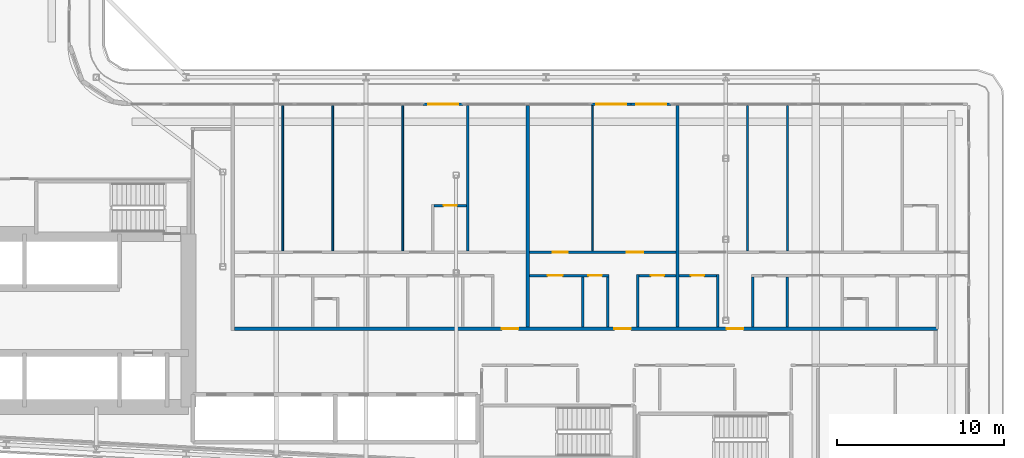
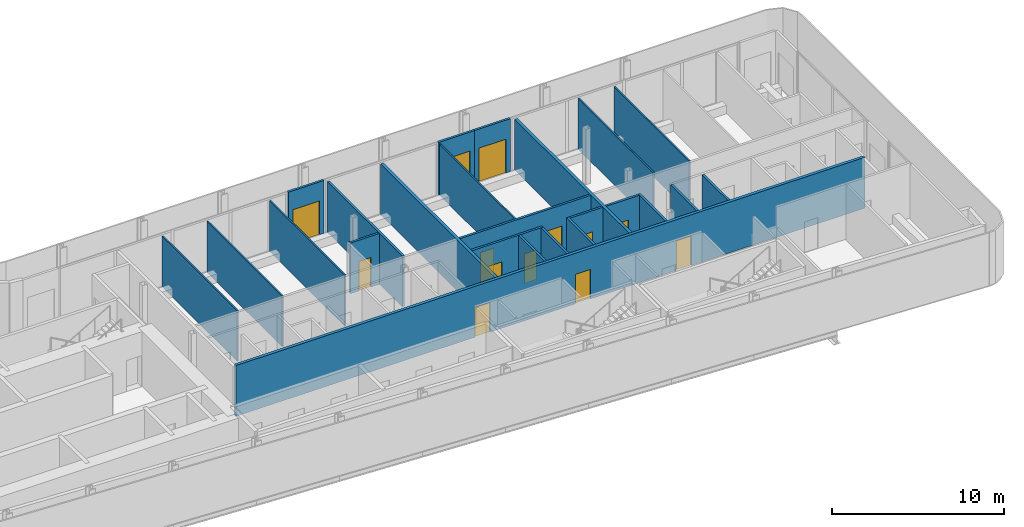
# One storey, part 16 of 28: 24 walls, 13 doors, 13 openings.
"""IFC4 building model written with IfcOpenShell, lengths in metres."""

from ifc_helpers import new_model, si_unit, direction, frame, frame_2d, origin, place, context, subcontext, project, spatial, rectangle, extrude, source, transform, mapped, material, layer, layer_set, type_object, element, fill, save


model = new_model("IFC4")

# Units and contexts
model_context = context("Model", 3, precision=1e-05, world=origin(), true_north=direction((0.0, 1.0)))
body_context = subcontext(model_context, "Body", "Model", "MODEL_VIEW")
ifc_project = project(units=[si_unit("LENGTHUNIT", "METRE"), si_unit("AREAUNIT", "SQUARE_METRE"), si_unit("VOLUMEUNIT", "CUBIC_METRE"), si_unit("PLANEANGLEUNIT", "RADIAN"), si_unit("MASSUNIT", "GRAM", prefix="KILO")], contexts=[model_context])

# Site, building, storey
site_placement = place(None, origin())
site = spatial("IfcSite", under=ifc_project, at=site_placement, CompositionType="ELEMENT")
building_placement = place(site_placement, origin())
building = spatial("IfcBuilding", under=site, at=building_placement, Name="Kheshtan School and Residences Tower", CompositionType="ELEMENT")
storey_placement = place(building_placement, frame((0.0, 0.0, 137.0)))
storey = spatial("IfcBuildingStorey", under=building, at=storey_placement, Name="L32", CompositionType="ELEMENT", Elevation=137.0)

# Wall, openings, doors
ifc_material_1 = material(Name="Gypsum board on steel studs with fire boards", Category="steel")
ifc_layer_1 = layer(ifc_material_1, 0.199951171875)
ifc_layer_set_1 = layer_set([ifc_layer_1], Name="Corridor wall 200")
wall_type_1 = type_object("IfcWallType", Name="Corridor wall 200", PredefinedType="PARTITIONING", material=ifc_layer_set_1)
wall_1_placement = place(storey_placement, frame((55.89990234375, 30.5, 0.0), z_axis=(0.0, 0.0, 1.0), x_axis=(1.0, 0.0, 0.0)))
wall_1 = element("IfcWall", 1, at=wall_1_placement, inside=storey, type_object=wall_type_1, Name="Partition L32-046", PredefinedType="PARTITIONING", context=body_context, shape_type="SweptSolid", body=[
    extrude(rectangle(XDim=42.2001953125, YDim=0.199951171875, at=frame_2d((21.10009765625, 0.0))), origin(), (0.0, 0.0, 1.0), 3.60009765625),
])
opening_1_placement = place(wall_1_placement, frame((16.050048828125, 0.0, 0.0)))
opening_1 = element("IfcOpeningElement", 2, at=opening_1_placement, cuts=wall_1, Name="Opening D32-007", PredefinedType="OPENING", context=body_context, shape_type="SweptSolid", body=[
    extrude(rectangle(XDim=1.0, YDim=2.10009765625, at=frame_2d((0.5, 1.050048828125))), frame((0.0, 0.10986328125, 0.0), z_axis=(0.0, -1.0, 0.0), x_axis=(1.0, 0.0, 0.0)), (0.0, 0.0, 1.0), 0.219970703125),
])
opening_2_placement = place(wall_1_placement, frame((22.800048828125, 0.0, 0.0)))
opening_2 = element("IfcOpeningElement", 3, at=opening_2_placement, cuts=wall_1, Name="Opening D32-017", PredefinedType="OPENING", context=body_context, shape_type="SweptSolid", body=[
    extrude(rectangle(XDim=1.0, YDim=2.10009765625, at=frame_2d((0.5, 1.050048828125))), frame((0.0, 0.10986328125, 0.0), z_axis=(0.0, -1.0, 0.0), x_axis=(1.0, 0.0, 0.0)), (0.0, 0.0, 1.0), 0.219970703125),
])
opening_3_placement = place(wall_1_placement, frame((29.550048828125, 0.0, 0.0)))
opening_3 = element("IfcOpeningElement", 4, at=opening_3_placement, cuts=wall_1, Name="Opening D32-026", PredefinedType="OPENING", context=body_context, shape_type="SweptSolid", body=[
    extrude(rectangle(XDim=1.0, YDim=2.10009765625, at=frame_2d((0.5, 1.050048828125))), frame((0.0, 0.10986328125, 0.0), z_axis=(0.0, -1.0, 0.0), x_axis=(1.0, 0.0, 0.0)), (0.0, 0.0, 1.0), 0.219970703125),
])
ifc_material_2 = material(Name="Steel-framed fire-resisting door leaf", Category="steel")
door_type_1 = type_object("IfcDoorType", Name="Fire door FD30S 1000 x 2100", OperationType="SINGLE_SWING_LEFT", PredefinedType="DOOR", material=ifc_material_2)
shared_shape_1 = source(origin(), body_context, "Body", "SweptSolid", [
    extrude(rectangle(XDim=1.0, YDim=2.10009765625, at=frame_2d((0.5, 1.050048828125))), frame((0.0, 0.02490234375, 0.0), z_axis=(0.0, -1.0, 0.0), x_axis=(1.0, 0.0, 0.0)), (0.0, 0.0, 1.0), 0.050048828125),
])
door_1_placement = place(opening_1_placement, origin())
door_1 = element("IfcDoor", 5, at=door_1_placement, inside=storey, type_object=door_type_1, Name="Door D32-007", OperationType="SINGLE_SWING_RIGHT", OverallHeight=2.10009765625, OverallWidth=1.0, PredefinedType="DOOR", context=body_context, shape_type="MappedRepresentation", body=[
    mapped(shared_shape_1, transform((0.0, 0.0, 0.0), x_axis=(1.0, 0.0, 0.0), y_axis=(0.0, 1.0, 0.0), z_axis=(0.0, 0.0, 1.0), scale=1.0)),
])
fill(opening_1, door_1)
door_2_placement = place(opening_2_placement, origin())
door_2 = element("IfcDoor", 6, at=door_2_placement, inside=storey, type_object=door_type_1, Name="Door D32-017", OperationType="SINGLE_SWING_RIGHT", OverallHeight=2.10009765625, OverallWidth=1.0, PredefinedType="DOOR", context=body_context, shape_type="MappedRepresentation", body=[
    mapped(shared_shape_1, transform((0.0, 0.0, 0.0), x_axis=(1.0, 0.0, 0.0), y_axis=(0.0, 1.0, 0.0), z_axis=(0.0, 0.0, 1.0), scale=1.0)),
])
fill(opening_2, door_2)
door_3_placement = place(opening_3_placement, origin())
door_3 = element("IfcDoor", 7, at=door_3_placement, inside=storey, type_object=door_type_1, Name="Door D32-026", OperationType="SINGLE_SWING_LEFT", OverallHeight=2.10009765625, OverallWidth=1.0, PredefinedType="DOOR", context=body_context, shape_type="MappedRepresentation", body=[
    mapped(shared_shape_1, transform((0.0, 0.0, 0.0), x_axis=(1.0, 0.0, 0.0), y_axis=(0.0, 1.0, 0.0), z_axis=(0.0, 0.0, 1.0), scale=1.0)),
])
fill(opening_3, door_3)

# Wall, opening, door
ifc_material_3 = material(Name="Aluminium frame wall with insulated infill", Category="aluminium")
ifc_layer_2 = layer(ifc_material_3, 0.14990234375)
ifc_layer_set_2 = layer_set([ifc_layer_2], Name="Glazing frame wall 150")
wall_type_2 = type_object("IfcWallType", Name="Glazing frame wall 150", PredefinedType="SOLIDWALL", material=ifc_layer_set_2)
wall_2_placement = place(storey_placement, frame((67.218017578125, 43.97509765625, 0.0), z_axis=(0.0, 0.0, 1.0), x_axis=(1.0, 0.0, 0.0)))
wall_2 = element("IfcWall", 8, at=wall_2_placement, inside=storey, type_object=wall_type_2, Name="Balcony door wall L32 12.2", PredefinedType="SOLIDWALL", context=body_context, shape_type="SweptSolid", body=[
    extrude(rectangle(XDim=2.39990234375, YDim=0.14990234375, at=frame_2d((1.199951171875, 0.0))), origin(), (0.0, 0.0, 1.0), 3.75),
])
opening_4_placement = place(wall_2_placement, frame((0.300048828125, 0.0, 0.0)))
opening_4 = element("IfcOpeningElement", 9, at=opening_4_placement, cuts=wall_2, Name="Opening BD", PredefinedType="OPENING", context=body_context, shape_type="SweptSolid", body=[
    extrude(rectangle(XDim=1.800048828125, YDim=2.39990234375, at=frame_2d((0.89990234375, 1.199951171875))), frame((0.0, 0.0849609375, 0.0), z_axis=(0.0, -1.0, 0.0), x_axis=(1.0, 0.0, 0.0)), (0.0, 0.0, 1.0), 0.169921875),
])
ifc_material_4 = material(Name="Clear low-e glass in thermally broken aluminium frame", Category="aluminium")
door_type_2 = type_object("IfcDoorType", Name="Balcony sliding door", OperationType="SLIDING_TO_LEFT", PredefinedType="DOOR", material=ifc_material_4)
shared_shape_2 = source(origin(), body_context, "Body", "SweptSolid", [
    extrude(rectangle(XDim=1.800048828125, YDim=2.39990234375, at=frame_2d((0.89990234375, 1.199951171875))), frame((0.0, 0.02490234375, 0.0), z_axis=(0.0, -1.0, 0.0), x_axis=(1.0, 0.0, 0.0)), (0.0, 0.0, 1.0), 0.050048828125),
])
door_4_placement = place(opening_4_placement, origin())
door_4 = element("IfcDoor", 10, at=door_4_placement, inside=storey, type_object=door_type_2, Name="Balcony door L32 12.2", OperationType="SLIDING_TO_LEFT", OverallHeight=2.39990234375, OverallWidth=1.800048828125, PredefinedType="DOOR", context=body_context, shape_type="MappedRepresentation", body=[
    mapped(shared_shape_2, transform((0.0, 0.0, 0.0), x_axis=(1.0, 0.0, 0.0), y_axis=(0.0, 1.0, 0.0), z_axis=(0.0, 0.0, 1.0), scale=1.0)),
])
fill(opening_4, door_4)

wall_3_placement = place(storey_placement, frame((77.31201171875, 43.97509765625, 0.0), z_axis=(0.0, 0.0, 1.0), x_axis=(1.0, 0.0, 0.0)))
wall_3 = element("IfcWall", 11, at=wall_3_placement, inside=storey, type_object=wall_type_2, Name="Balcony door wall L32 12.3", PredefinedType="SOLIDWALL", context=body_context, shape_type="SweptSolid", body=[
    extrude(rectangle(XDim=2.39990234375, YDim=0.14990234375, at=frame_2d((1.199951171875, 0.0))), origin(), (0.0, 0.0, 1.0), 3.75),
])
opening_5_placement = place(wall_3_placement, frame((0.300048828125, 0.0, 0.0)))
opening_5 = element("IfcOpeningElement", 12, at=opening_5_placement, cuts=wall_3, Name="Opening BD", PredefinedType="OPENING", context=body_context, shape_type="SweptSolid", body=[
    extrude(rectangle(XDim=1.800048828125, YDim=2.39990234375, at=frame_2d((0.89990234375, 1.199951171875))), frame((0.0, 0.0849609375, 0.0), z_axis=(0.0, -1.0, 0.0), x_axis=(1.0, 0.0, 0.0)), (0.0, 0.0, 1.0), 0.169921875),
])
door_5_placement = place(opening_5_placement, origin())
door_5 = element("IfcDoor", 13, at=door_5_placement, inside=storey, type_object=door_type_2, Name="Balcony door L32 12.3", OperationType="SLIDING_TO_LEFT", OverallHeight=2.39990234375, OverallWidth=1.800048828125, PredefinedType="DOOR", context=body_context, shape_type="MappedRepresentation", body=[
    mapped(shared_shape_2, transform((0.0, 0.0, 0.0), x_axis=(1.0, 0.0, 0.0), y_axis=(0.0, 1.0, 0.0), z_axis=(0.0, 0.0, 1.0), scale=1.0)),
])
fill(opening_5, door_5)

wall_4_placement = place(storey_placement, frame((79.7119140625, 43.97509765625, 0.0), z_axis=(0.0, 0.0, 1.0), x_axis=(1.0, 0.0, 0.0)))
wall_4 = element("IfcWall", 14, at=wall_4_placement, inside=storey, type_object=wall_type_2, Name="Balcony door wall L32 12.4", PredefinedType="SOLIDWALL", context=body_context, shape_type="SweptSolid", body=[
    extrude(rectangle(XDim=2.400146484375, YDim=0.14990234375, at=frame_2d((1.2001953125, 0.0))), origin(), (0.0, 0.0, 1.0), 3.75),
])
opening_6_placement = place(wall_4_placement, frame((0.300048828125, 0.0, 0.0)))
opening_6 = element("IfcOpeningElement", 15, at=opening_6_placement, cuts=wall_4, Name="Opening BD", PredefinedType="OPENING", context=body_context, shape_type="SweptSolid", body=[
    extrude(rectangle(XDim=1.800048828125, YDim=2.39990234375, at=frame_2d((0.89990234375, 1.199951171875))), frame((0.0, 0.0849609375, 0.0), z_axis=(0.0, -1.0, 0.0), x_axis=(1.0, 0.0, 0.0)), (0.0, 0.0, 1.0), 0.169921875),
])
door_6_placement = place(opening_6_placement, origin())
door_6 = element("IfcDoor", 16, at=door_6_placement, inside=storey, type_object=door_type_2, Name="Balcony door L32 12.4", OperationType="SLIDING_TO_LEFT", OverallHeight=2.39990234375, OverallWidth=1.800048828125, PredefinedType="DOOR", context=body_context, shape_type="MappedRepresentation", body=[
    mapped(shared_shape_2, transform((0.0, 0.0, 0.0), x_axis=(1.0, 0.0, 0.0), y_axis=(0.0, 1.0, 0.0), z_axis=(0.0, 0.0, 1.0), scale=1.0)),
])
fill(opening_6, door_6)

# Walls
ifc_material_5 = material(Name="Gypsum board on steel studs", Category="steel")
ifc_layer_3 = layer(ifc_material_5, 0.10009765625)
ifc_layer_set_3 = layer_set([ifc_layer_3], Name="Gypsum partition 100")
wall_type_3 = type_object("IfcWallType", Name="Gypsum partition 100", PredefinedType="PARTITIONING", material=ifc_layer_set_3)
for number, where, z_axis, x_axis, name in (
    (17, (58.800048828125, 35.175048828125, 0.0), (0.0, 0.0, 1.0), (0.0, 1.0, 0.0), "Partition L32-050"),
    (18, (61.800048828125, 35.175048828125, 0.0), (0.0, 0.0, 1.0), (0.0, 1.0, 0.0), "Partition L32-053"),
    (19, (66.0, 35.175048828125, 0.0), (0.0, 0.0, 1.0), (0.0, 1.0, 0.0), "Partition L32-056"),
    (20, (77.39990234375, 35.175048828125, 0.0), (0.0, 0.0, 1.0), (0.0, 1.0, 0.0), "Partition L32-067"),
    (21, (86.699951171875, 35.175048828125, 0.0), (0.0, 0.0, 1.0), (0.0, 1.0, 0.0), "Partition L32-075"),
    (22, (89.10009765625, 35.175048828125, 0.0), (0.0, 0.0, 1.0), (0.0, 1.0, 0.0), "Partition L32-079"),
):
    element("IfcWall", number, at=place(storey_placement, frame(where, z_axis=z_axis, x_axis=x_axis)), inside=storey, type_object=wall_type_3, Name=name, PredefinedType="PARTITIONING", context=body_context, shape_type="SweptSolid", body=[
        extrude(rectangle(XDim=8.724853515625, YDim=0.10009765625, at=frame_2d((4.3623046875, 0.0))), origin(), (0.0, 0.0, 1.0), 3.60009765625),
    ])
ifc_material_6 = material(Name="Twin gypsum board on steel studs with mineral wool", Category="steel")
ifc_layer_4 = layer(ifc_material_6, 0.199951171875)
ifc_layer_set_4 = layer_set([ifc_layer_4], Name="Unit demising wall 200")
wall_type_4 = type_object("IfcWallType", Name="Unit demising wall 200", PredefinedType="PARTITIONING", material=ifc_layer_set_4)
for number, where, z_axis, x_axis, name in (
    (23, (73.5, 30.60009765625, 0.0), (0.0, 0.0, 1.0), (0.0, 1.0, 0.0), "Partition L32-063"),
    (24, (82.5, 30.60009765625, 0.0), (0.0, 0.0, 1.0), (0.0, 1.0, 0.0), "Partition L32-071"),
):
    element("IfcWall", number, at=place(storey_placement, frame(where, z_axis=z_axis, x_axis=x_axis)), inside=storey, type_object=wall_type_4, Name=name, PredefinedType="PARTITIONING", context=body_context, shape_type="SweptSolid", body=[
        extrude(rectangle(XDim=13.2998046875, YDim=0.199951171875, at=frame_2d((6.64990234375, 0.0))), origin(), (0.0, 0.0, 1.0), 3.60009765625),
    ])

# Wall, opening, door
ifc_material_7 = material(Name="Moisture-resistant gypsum board on steel studs", Category="steel")
ifc_layer_5 = layer(ifc_material_7, 0.14990234375)
ifc_layer_set_5 = layer_set([ifc_layer_5], Name="Wet-room partition 150")
wall_type_5 = type_object("IfcWallType", Name="Wet-room partition 150", PredefinedType="PARTITIONING", material=ifc_layer_set_5)
wall_5_placement = place(storey_placement, frame((67.875, 37.89990234375, 0.0), z_axis=(0.0, 0.0, 1.0), x_axis=(1.0, 0.0, 0.0)))
wall_5 = element("IfcWall", 25, at=wall_5_placement, inside=storey, type_object=wall_type_5, Name="Partition L32-059", PredefinedType="PARTITIONING", context=body_context, shape_type="SweptSolid", body=[
    extrude(rectangle(XDim=1.949951171875, YDim=0.14990234375, at=frame_2d((0.97509765625, 0.0))), origin(), (0.0, 0.0, 1.0), 3.60009765625),
])
opening_7_placement = place(wall_5_placement, frame((0.574951171875, 0.0, 0.0)))
opening_7 = element("IfcOpeningElement", 26, at=opening_7_placement, cuts=wall_5, Name="Opening D32-006", PredefinedType="OPENING", context=body_context, shape_type="SweptSolid", body=[
    extrude(rectangle(XDim=0.800048828125, YDim=2.10009765625, at=frame_2d((0.39990234375, 1.050048828125))), frame((0.0, 0.0849609375, 0.0), z_axis=(0.0, -1.0, 0.0), x_axis=(1.0, 0.0, 0.0)), (0.0, 0.0, 1.0), 0.169921875),
])
ifc_material_8 = material(Name="Veneered timber door leaf", Category="wood")
door_type_3 = type_object("IfcDoorType", Name="Door 800 x 2100", OperationType="SINGLE_SWING_LEFT", PredefinedType="DOOR", material=ifc_material_8)
shared_shape_3 = source(origin(), body_context, "Body", "SweptSolid", [
    extrude(rectangle(XDim=0.800048828125, YDim=2.10009765625, at=frame_2d((0.39990234375, 1.050048828125))), frame((0.0, 0.02490234375, 0.0), z_axis=(0.0, -1.0, 0.0), x_axis=(1.0, 0.0, 0.0)), (0.0, 0.0, 1.0), 0.050048828125),
])
door_7_placement = place(opening_7_placement, origin())
door_7 = element("IfcDoor", 27, at=door_7_placement, inside=storey, type_object=door_type_3, Name="Door D32-006", OperationType="SINGLE_SWING_LEFT", OverallHeight=2.10009765625, OverallWidth=0.800048828125, PredefinedType="DOOR", context=body_context, shape_type="MappedRepresentation", body=[
    mapped(shared_shape_3, transform((0.0, 0.0, 0.0), x_axis=(1.0, 0.0, 0.0), y_axis=(0.0, 1.0, 0.0), z_axis=(0.0, 0.0, 1.0), scale=1.0)),
])
fill(opening_7, door_7)

# Wall
wall_6_placement = place(storey_placement, frame((69.89990234375, 35.175048828125, 0.0), z_axis=(0.0, 0.0, 1.0), x_axis=(0.0, 1.0, 0.0)))
element("IfcWall", 28, at=wall_6_placement, inside=storey, type_object=wall_type_5, Name="Partition L32-061", PredefinedType="PARTITIONING", context=body_context, shape_type="SweptSolid", body=[
    extrude(rectangle(XDim=8.724853515625, YDim=0.14990234375, at=frame_2d((4.3623046875, 0.0))), origin(), (0.0, 0.0, 1.0), 3.60009765625),
])

# Wall, openings, doors
wall_7_placement = place(storey_placement, frame((73.60009765625, 33.699951171875, 0.0), z_axis=(0.0, 0.0, 1.0), x_axis=(1.0, 0.0, 0.0)))
wall_7 = element("IfcWall", 29, at=wall_7_placement, inside=storey, type_object=wall_type_5, Name="Partition L32-064", PredefinedType="PARTITIONING", context=body_context, shape_type="SweptSolid", body=[
    extrude(rectangle(XDim=4.77490234375, YDim=0.14990234375, at=frame_2d((2.387451171875, 0.0))), origin(), (0.0, 0.0, 1.0), 3.60009765625),
])
opening_8_placement = place(wall_7_placement, frame((1.10009765625, 0.0, 0.0)))
opening_8 = element("IfcOpeningElement", 30, at=opening_8_placement, cuts=wall_7, Name="Opening D32-018", PredefinedType="OPENING", context=body_context, shape_type="SweptSolid", body=[
    extrude(rectangle(XDim=0.89990234375, YDim=2.10009765625, at=frame_2d((0.449951171875, 1.050048828125))), frame((0.0, 0.0849609375, 0.0), z_axis=(0.0, -1.0, 0.0), x_axis=(1.0, 0.0, 0.0)), (0.0, 0.0, 1.0), 0.169921875),
])
opening_9_placement = place(wall_7_placement, frame((3.550048828125, 0.0, 0.0)))
opening_9 = element("IfcOpeningElement", 31, at=opening_9_placement, cuts=wall_7, Name="Opening D32-020", PredefinedType="OPENING", context=body_context, shape_type="SweptSolid", body=[
    extrude(rectangle(XDim=0.800048828125, YDim=2.10009765625, at=frame_2d((0.39990234375, 1.050048828125))), frame((0.0, 0.0849609375, 0.0), z_axis=(0.0, -1.0, 0.0), x_axis=(1.0, 0.0, 0.0)), (0.0, 0.0, 1.0), 0.169921875),
])
door_8_placement = place(opening_9_placement, origin())
door_8 = element("IfcDoor", 32, at=door_8_placement, inside=storey, type_object=door_type_3, Name="Door D32-020", OperationType="SINGLE_SWING_LEFT", OverallHeight=2.10009765625, OverallWidth=0.800048828125, PredefinedType="DOOR", context=body_context, shape_type="MappedRepresentation", body=[
    mapped(shared_shape_3, transform((0.0, 0.0, 0.0), x_axis=(1.0, 0.0, 0.0), y_axis=(0.0, 1.0, 0.0), z_axis=(0.0, 0.0, 1.0), scale=1.0)),
])
fill(opening_9, door_8)
door_type_4 = type_object("IfcDoorType", Name="Door 900 x 2100", OperationType="SINGLE_SWING_LEFT", PredefinedType="DOOR", material=ifc_material_8)
shared_shape_4 = source(origin(), body_context, "Body", "SweptSolid", [
    extrude(rectangle(XDim=0.89990234375, YDim=2.10009765625, at=frame_2d((0.449951171875, 1.050048828125))), frame((0.0, 0.02490234375, 0.0), z_axis=(0.0, -1.0, 0.0), x_axis=(1.0, 0.0, 0.0)), (0.0, 0.0, 1.0), 0.050048828125),
])
door_9_placement = place(opening_8_placement, origin())
door_9 = element("IfcDoor", 33, at=door_9_placement, inside=storey, type_object=door_type_4, Name="Door D32-018", OperationType="SINGLE_SWING_RIGHT", OverallHeight=2.10009765625, OverallWidth=0.89990234375, PredefinedType="DOOR", context=body_context, shape_type="MappedRepresentation", body=[
    mapped(shared_shape_4, transform((0.0, 0.0, 0.0), x_axis=(1.0, 0.0, 0.0), y_axis=(0.0, 1.0, 0.0), z_axis=(0.0, 0.0, 1.0), scale=1.0)),
])
fill(opening_8, door_9)

wall_8_placement = place(storey_placement, frame((73.60009765625, 35.10009765625, 0.0), z_axis=(0.0, 0.0, 1.0), x_axis=(1.0, 0.0, 0.0)))
wall_8 = element("IfcWall", 34, at=wall_8_placement, inside=storey, type_object=wall_type_5, Name="Partition L32-065", PredefinedType="PARTITIONING", context=body_context, shape_type="SweptSolid", body=[
    extrude(rectangle(XDim=8.7998046875, YDim=0.14990234375, at=frame_2d((4.39990234375, 0.0))), origin(), (0.0, 0.0, 1.0), 3.60009765625),
])
opening_10_placement = place(wall_8_placement, frame((1.39990234375, 0.0, 0.0)))
opening_10 = element("IfcOpeningElement", 35, at=opening_10_placement, cuts=wall_8, Name="Opening D32-016", PredefinedType="OPENING", context=body_context, shape_type="SweptSolid", body=[
    extrude(rectangle(XDim=0.89990234375, YDim=2.10009765625, at=frame_2d((0.449951171875, 1.050048828125))), frame((0.0, 0.0849609375, 0.0), z_axis=(0.0, -1.0, 0.0), x_axis=(1.0, 0.0, 0.0)), (0.0, 0.0, 1.0), 0.169921875),
])
opening_11_placement = place(wall_8_placement, frame((5.85009765625, 0.0, 0.0)))
opening_11 = element("IfcOpeningElement", 36, at=opening_11_placement, cuts=wall_8, Name="Opening D32-019", PredefinedType="OPENING", context=body_context, shape_type="SweptSolid", body=[
    extrude(rectangle(XDim=1.0, YDim=2.10009765625, at=frame_2d((0.5, 1.050048828125))), frame((0.0, 0.0849609375, 0.0), z_axis=(0.0, -1.0, 0.0), x_axis=(1.0, 0.0, 0.0)), (0.0, 0.0, 1.0), 0.169921875),
])
door_type_5 = type_object("IfcDoorType", Name="Door 1000 x 2100", OperationType="SINGLE_SWING_LEFT", PredefinedType="DOOR", material=ifc_material_8)
shared_shape_5 = source(origin(), body_context, "Body", "SweptSolid", [
    extrude(rectangle(XDim=1.0, YDim=2.10009765625, at=frame_2d((0.5, 1.050048828125))), frame((0.0, 0.02490234375, 0.0), z_axis=(0.0, -1.0, 0.0), x_axis=(1.0, 0.0, 0.0)), (0.0, 0.0, 1.0), 0.050048828125),
])
door_10_placement = place(opening_11_placement, origin())
door_10 = element("IfcDoor", 37, at=door_10_placement, inside=storey, type_object=door_type_5, Name="Door D32-019", OperationType="SINGLE_SWING_LEFT", OverallHeight=2.10009765625, OverallWidth=1.0, PredefinedType="DOOR", context=body_context, shape_type="MappedRepresentation", body=[
    mapped(shared_shape_5, transform((0.0, 0.0, 0.0), x_axis=(1.0, 0.0, 0.0), y_axis=(0.0, 1.0, 0.0), z_axis=(0.0, 0.0, 1.0), scale=1.0)),
])
fill(opening_11, door_10)
door_11_placement = place(opening_10_placement, origin())
door_11 = element("IfcDoor", 38, at=door_11_placement, inside=storey, type_object=door_type_4, Name="Door D32-016", OperationType="SINGLE_SWING_RIGHT", OverallHeight=2.10009765625, OverallWidth=0.89990234375, PredefinedType="DOOR", context=body_context, shape_type="MappedRepresentation", body=[
    mapped(shared_shape_4, transform((0.0, 0.0, 0.0), x_axis=(1.0, 0.0, 0.0), y_axis=(0.0, 1.0, 0.0), z_axis=(0.0, 0.0, 1.0), scale=1.0)),
])
fill(opening_10, door_11)

# Walls
for number, where, z_axis, x_axis, name in (
    (39, (76.800048828125, 30.60009765625, 0.0), (0.0, 0.0, 1.0), (0.0, 1.0, 0.0), "Partition L32-066"),
    (40, (78.300048828125, 30.60009765625, 0.0), (0.0, 0.0, 1.0), (0.0, 1.0, 0.0), "Partition L32-068"),
):
    element("IfcWall", number, at=place(storey_placement, frame(where, z_axis=z_axis, x_axis=x_axis)), inside=storey, type_object=wall_type_5, Name=name, PredefinedType="PARTITIONING", context=body_context, shape_type="SweptSolid", body=[
        extrude(rectangle(XDim=3.02490234375, YDim=0.14990234375, at=frame_2d((1.512451171875, 0.0))), origin(), (0.0, 0.0, 1.0), 3.60009765625),
    ])
wall_9_placement = place(storey_placement, frame((80.10009765625, 30.60009765625, 0.0), z_axis=(0.0, 0.0, 1.0), x_axis=(0.0, 1.0, 0.0)))
element("IfcWall", 41, at=wall_9_placement, inside=storey, type_object=wall_type_5, Name="Partition L32-069", PredefinedType="PARTITIONING", context=body_context, shape_type="SweptSolid", body=[
    extrude(rectangle(XDim=3.1748046875, YDim=0.14990234375, at=frame_2d((1.58740234375, 0.0))), origin(), (0.0, 0.0, 1.0), 3.60009765625),
])

# Wall, opening, door
wall_10_placement = place(storey_placement, frame((80.175048828125, 33.699951171875, 0.0), z_axis=(0.0, 0.0, 1.0), x_axis=(1.0, 0.0, 0.0)))
wall_10 = element("IfcWall", 42, at=wall_10_placement, inside=storey, type_object=wall_type_5, Name="Partition L32-070", PredefinedType="PARTITIONING", context=body_context, shape_type="SweptSolid", body=[
    extrude(rectangle(XDim=2.224853515625, YDim=0.14990234375, at=frame_2d((1.1123046875, 0.0))), origin(), (0.0, 0.0, 1.0), 3.60009765625),
])
opening_12_placement = place(wall_10_placement, frame((0.72509765625, 0.0, 0.0)))
opening_12 = element("IfcOpeningElement", 43, at=opening_12_placement, cuts=wall_10, Name="Opening D32-015", PredefinedType="OPENING", context=body_context, shape_type="SweptSolid", body=[
    extrude(rectangle(XDim=0.800048828125, YDim=2.10009765625, at=frame_2d((0.39990234375, 1.050048828125))), frame((0.0, 0.0849609375, 0.0), z_axis=(0.0, -1.0, 0.0), x_axis=(1.0, 0.0, 0.0)), (0.0, 0.0, 1.0), 0.169921875),
])
door_12_placement = place(opening_12_placement, origin())
door_12 = element("IfcDoor", 44, at=door_12_placement, inside=storey, type_object=door_type_3, Name="Door D32-015", OperationType="SINGLE_SWING_RIGHT", OverallHeight=2.10009765625, OverallWidth=0.800048828125, PredefinedType="DOOR", context=body_context, shape_type="MappedRepresentation", body=[
    mapped(shared_shape_3, transform((0.0, 0.0, 0.0), x_axis=(1.0, 0.0, 0.0), y_axis=(0.0, 1.0, 0.0), z_axis=(0.0, 0.0, 1.0), scale=1.0)),
])
fill(opening_12, door_12)

wall_11_placement = place(storey_placement, frame((82.60009765625, 33.699951171875, 0.0), z_axis=(0.0, 0.0, 1.0), x_axis=(1.0, 0.0, 0.0)))
wall_11 = element("IfcWall", 45, at=wall_11_placement, inside=storey, type_object=wall_type_5, Name="Partition L32-072", PredefinedType="PARTITIONING", context=body_context, shape_type="SweptSolid", body=[
    extrude(rectangle(XDim=2.224853515625, YDim=0.14990234375, at=frame_2d((1.1123046875, 0.0))), origin(), (0.0, 0.0, 1.0), 3.60009765625),
])
opening_13_placement = place(wall_11_placement, frame((0.699951171875, 0.0, 0.0)))
opening_13 = element("IfcOpeningElement", 46, at=opening_13_placement, cuts=wall_11, Name="Opening D32-021", PredefinedType="OPENING", context=body_context, shape_type="SweptSolid", body=[
    extrude(rectangle(XDim=0.800048828125, YDim=2.10009765625, at=frame_2d((0.39990234375, 1.050048828125))), frame((0.0, 0.0849609375, 0.0), z_axis=(0.0, -1.0, 0.0), x_axis=(1.0, 0.0, 0.0)), (0.0, 0.0, 1.0), 0.169921875),
])
door_13_placement = place(opening_13_placement, origin())
door_13 = element("IfcDoor", 47, at=door_13_placement, inside=storey, type_object=door_type_3, Name="Door D32-021", OperationType="SINGLE_SWING_RIGHT", OverallHeight=2.10009765625, OverallWidth=0.800048828125, PredefinedType="DOOR", context=body_context, shape_type="MappedRepresentation", body=[
    mapped(shared_shape_3, transform((0.0, 0.0, 0.0), x_axis=(1.0, 0.0, 0.0), y_axis=(0.0, 1.0, 0.0), z_axis=(0.0, 0.0, 1.0), scale=1.0)),
])
fill(opening_13, door_13)

# Walls
wall_12_placement = place(storey_placement, frame((84.89990234375, 30.60009765625, 0.0), z_axis=(0.0, 0.0, 1.0), x_axis=(0.0, 1.0, 0.0)))
element("IfcWall", 48, at=wall_12_placement, inside=storey, type_object=wall_type_5, Name="Partition L32-074", PredefinedType="PARTITIONING", context=body_context, shape_type="SweptSolid", body=[
    extrude(rectangle(XDim=3.1748046875, YDim=0.14990234375, at=frame_2d((1.58740234375, 0.0))), origin(), (0.0, 0.0, 1.0), 3.60009765625),
])
for number, where, z_axis, x_axis, name in (
    (49, (87.0, 30.60009765625, 0.0), (0.0, 0.0, 1.0), (0.0, 1.0, 0.0), "Partition L32-077"),
    (50, (89.10009765625, 30.60009765625, 0.0), (0.0, 0.0, 1.0), (0.0, 1.0, 0.0), "Partition L32-078"),
):
    element("IfcWall", number, at=place(storey_placement, frame(where, z_axis=z_axis, x_axis=x_axis)), inside=storey, type_object=wall_type_5, Name=name, PredefinedType="PARTITIONING", context=body_context, shape_type="SweptSolid", body=[
        extrude(rectangle(XDim=3.02490234375, YDim=0.14990234375, at=frame_2d((1.512451171875, 0.0))), origin(), (0.0, 0.0, 1.0), 3.60009765625),
    ])

save(model, "model.ifc")
